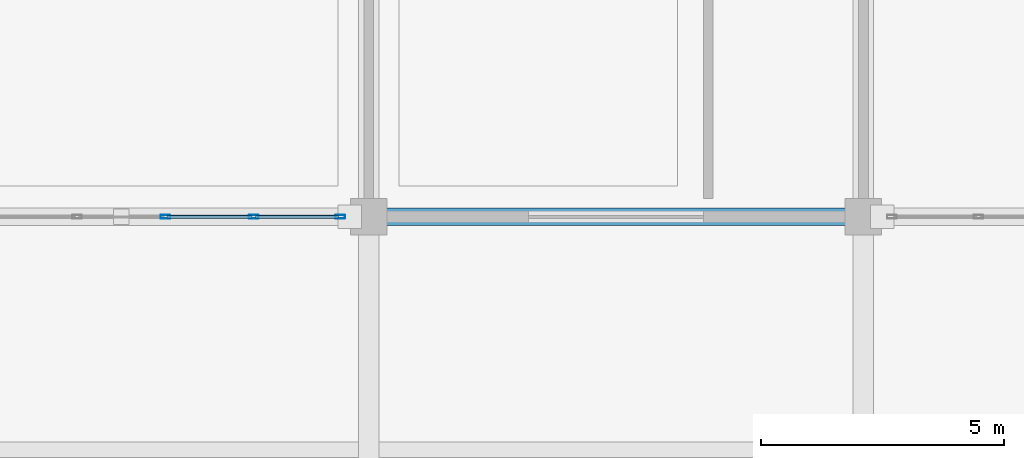
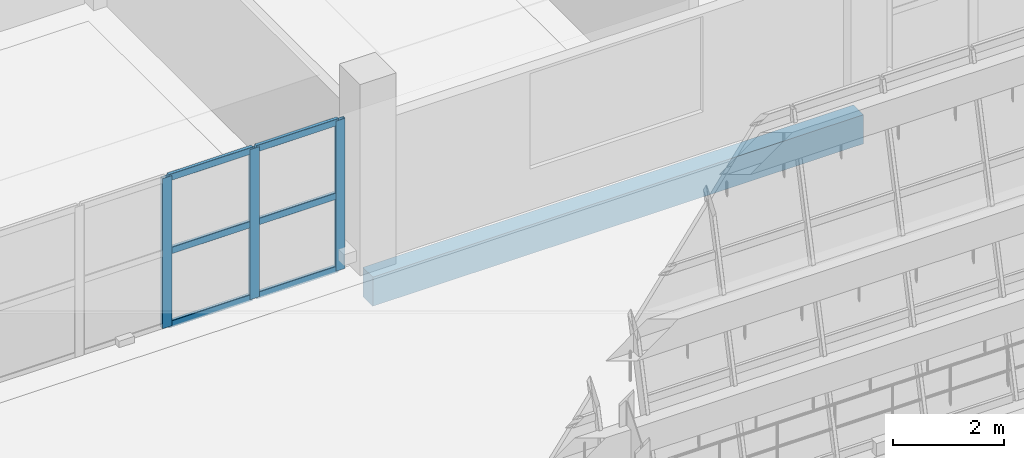
# One storey, part 40 of 157: 9 members, 1 beam, 1 element without a shape of its own.
"""IFC4 building model written with IfcOpenShell, lengths in metres."""

import ifcopenshell
import ifcopenshell.guid

model = None  # the IFC model being written
_history = None  # IfcOwnerHistory: only IFC2X3 demands one
_inside = {}  # id of a spatial element -> (the spatial element, [elements in it])
_under = {}  # id of a project, library or spatial element -> (it, [spatial elements below it])
_declared = {}  # id of a project -> (the project, [libraries it declares])
_typed = {}  # id of a type object -> (the type object, [elements of that type])
_made_of = {}  # id of a material, layer set ... -> (it, [elements and type objects made of it])


def new_model(schema):
    """Start an empty IFC model of exactly this schema.

    Asked for "IFC4X3", IfcOpenShell would pick the latest addendum, in which some entities
    have other attributes; the version numbers below select the first issue.
    IFC2X3 requires an IfcOwnerHistory on every rooted entity: one is made here for all.
    """
    global model, _history
    if schema == "IFC4X3":
        model = ifcopenshell.file(schema_version=(4, 3, 0, 0))
    else:
        model = ifcopenshell.file(schema=schema)
    _inside.clear()
    _under.clear()
    _declared.clear()
    _typed.clear()
    _made_of.clear()
    _history = None
    if model.schema == "IFC2X3":
        org = make("IfcOrganization", Name="unknown")
        user = make(
            "IfcPersonAndOrganization",
            ThePerson=make("IfcPerson", FamilyName="unknown"),
            TheOrganization=org,
        )
        app = make(
            "IfcApplication",
            ApplicationDeveloper=org,
            Version="unknown",
            ApplicationFullName="unknown",
            ApplicationIdentifier="unknown",
        )
        _history = make(
            "IfcOwnerHistory",
            OwningUser=user,
            OwningApplication=app,
            ChangeAction="ADDED",
            CreationDate=0,
        )
    return model


def make(cls, **values):
    """One entity of the class cls with the attributes given. An attribute that is None is left unset."""
    return model.create_entity(
        cls, **{name: value for name, value in values.items() if value is not None}
    )


def rooted(cls, **values):
    """An entity with a GlobalId (a new one), such as an element, a storey or a relation."""
    return make(cls, GlobalId=ifcopenshell.guid.new(), OwnerHistory=_history, **values)


def si_unit(unit_type, name, prefix=None):
    """IfcSIUnit, for example si_unit("LENGTHUNIT", "METRE", prefix="MILLI")."""
    return make("IfcSIUnit", UnitType=unit_type, Prefix=prefix, Name=name)


def assignment(units):
    """IfcUnitAssignment: the units of a project."""
    return None if units is None else make("IfcUnitAssignment", Units=units)


def point(xyz):
    """IfcCartesianPoint."""
    return None if xyz is None else make("IfcCartesianPoint", Coordinates=xyz)


def direction(xyz):
    """IfcDirection."""
    return None if xyz is None else make("IfcDirection", DirectionRatios=xyz)


def frame(location, z_axis=None, x_axis=None):
    """IfcAxis2Placement3D, a coordinate frame: its origin and axes. An axis left out is left unset."""
    return make(
        "IfcAxis2Placement3D",
        Location=point(location),
        Axis=direction(z_axis),
        RefDirection=direction(x_axis),
    )


def frame_2d(location, x_axis=None):
    """IfcAxis2Placement2D, a coordinate frame in the plane: its origin and x axis."""
    return make(
        "IfcAxis2Placement2D", Location=point(location), RefDirection=direction(x_axis)
    )


def origin():
    """The frame at (0, 0, 0) with its axes left unset."""
    return frame((0.0, 0.0, 0.0))


def origin_2d():
    """The frame at (0, 0) in the plane with its x axis left unset."""
    return frame_2d((0.0, 0.0))


def place(relative_to, where):
    """IfcLocalPlacement: puts the frame where relative to a parent placement (None: the world)."""
    return make(
        "IfcLocalPlacement", PlacementRelTo=relative_to, RelativePlacement=where
    )


def context(
    kind, dimensions, precision=None, world=None, true_north=None, identifier=None
):
    """IfcGeometricRepresentationContext, for example the 3D "Model" context."""
    return make(
        "IfcGeometricRepresentationContext",
        ContextIdentifier=identifier,
        ContextType=kind,
        CoordinateSpaceDimension=dimensions,
        Precision=precision,
        WorldCoordinateSystem=world,
        TrueNorth=true_north,
    )


def subcontext(parent, identifier, kind, view, scale=None):
    """IfcGeometricRepresentationSubContext, for example "Body" below "Model"."""
    return make(
        "IfcGeometricRepresentationSubContext",
        ContextIdentifier=identifier,
        ContextType=kind,
        ParentContext=parent,
        TargetScale=scale,
        TargetView=view,
    )


def project(units=None, contexts=None):
    """IfcProject with its units and contexts."""
    return rooted(
        "IfcProject",
        Name="project",
        RepresentationContexts=contexts,
        UnitsInContext=assignment(units),
    )


def spatial(cls, under=None, at=None, **own):
    """A site, building, storey or space (cls), placed at a placement, below another one or the project."""
    s = rooted(cls, ObjectPlacement=at, **own)
    if under is not None:
        _under.setdefault(under.id(), (under, []))[1].append(s)
    return s


def profile(cls, at=None, kind="AREA", **sizes):
    """A parametric profile (cls). Its sizes go by their IFC names, for example OverallWidth=200.0."""
    return make(cls, ProfileType=kind, Position=at, **sizes)


def rectangle(**sizes):
    """IfcRectangleProfileDef."""
    return profile("IfcRectangleProfileDef", **sizes)


def hollow_rectangle(**sizes):
    """IfcRectangleHollowProfileDef."""
    return profile("IfcRectangleHollowProfileDef", **sizes)


def extrude(swept, where, along, depth):
    """IfcExtrudedAreaSolid: the profile swept, set in the frame where, extruded along a direction by depth."""
    return make(
        "IfcExtrudedAreaSolid",
        SweptArea=swept,
        Position=where,
        ExtrudedDirection=direction(along),
        Depth=depth,
    )


def shape(context_of_items, identifier, shape_type, items):
    """IfcShapeRepresentation: the items that make up one representation, for example the "Body"."""
    return make(
        "IfcShapeRepresentation",
        ContextOfItems=context_of_items,
        RepresentationIdentifier=identifier,
        RepresentationType=shape_type,
        Items=items,
    )


def material(Name=None, Category=None):
    """IfcMaterial."""
    return make("IfcMaterial", Name=Name, Category=Category)


def material_profile(
    of_material, cross_section, Name=None, Category=None, Priority=None
):
    """IfcMaterialProfile: a cross section and its material."""
    return make(
        "IfcMaterialProfile",
        Name=Name,
        Material=of_material,
        Profile=cross_section,
        Priority=Priority,
        Category=Category,
    )


def profile_set(profiles, Name=None, composite=None):
    """IfcMaterialProfileSet."""
    return make(
        "IfcMaterialProfileSet",
        Name=Name,
        MaterialProfiles=profiles,
        CompositeProfile=composite,
    )


def made_of(thing, what):
    """Note that an element or type object is made of a material, layer set ...; save() writes the relation."""
    if what is not None:
        _made_of.setdefault(what.id(), (what, []))[1].append(thing)
    return thing


def type_object(cls, material=None, **own):
    """A type object (cls), such as IfcWallType, which elements share."""
    return made_of(rooted(cls, **own), material)


def element(
    cls,
    number,
    at=None,
    inside=None,
    cuts=None,
    type_object=None,
    material=None,
    context=None,
    identifier="Body",
    shape_type=None,
    held_by="IfcProductDefinitionShape",
    body=None,
    shapes=None,
    **own,
):
    """One element of the class cls, such as IfcWall. Its Tag is "e" and its number.

    at: its placement. inside: the storey or other place that contains it. cuts: it is an
    opening in that element (IfcRelVoidsElement). A single representation is given by context,
    identifier, shape_type and body (its items); several are given by shapes. held_by: the class
    of the entity that holds the representations. save() writes the other relations.
    """
    e = rooted(cls, Tag="e%d" % number, ObjectPlacement=at, **own)
    if body is not None:
        shapes = [shape(context, identifier, shape_type, body)]
    if shapes is not None:
        e.Representation = make(held_by, Representations=shapes)
    if inside is not None:
        _inside.setdefault(inside.id(), (inside, []))[1].append(e)
    if cuts is not None:
        rooted(
            "IfcRelVoidsElement", RelatingBuildingElement=cuts, RelatedOpeningElement=e
        )
    if type_object is not None:
        _typed.setdefault(type_object.id(), (type_object, []))[1].append(e)
    return made_of(e, material)


def aggregate(whole, parts):
    """IfcRelAggregates: a whole, such as a stair, and the parts it consists of."""
    return rooted("IfcRelAggregates", RelatingObject=whole, RelatedObjects=parts)


def save(model, path):
    """Write the relations noted so far, then the file.

    IfcRelAggregates (storeys below a building ...), IfcRelContainedInSpatialStructure (elements
    in a storey), IfcRelDefinesByType, IfcRelAssociatesMaterial and IfcRelDeclares: one each for
    every whole, place, type object, material and project.
    """
    for whole, parts in _under.values():
        aggregate(whole, parts)
    for where, things in _inside.values():
        rooted(
            "IfcRelContainedInSpatialStructure",
            RelatedElements=things,
            RelatingStructure=where,
        )
    for kind, things in _typed.values():
        rooted("IfcRelDefinesByType", RelatedObjects=things, RelatingType=kind)
    for what, things in _made_of.values():
        rooted("IfcRelAssociatesMaterial", RelatedObjects=things, RelatingMaterial=what)
    for by, libraries in _declared.values():
        rooted("IfcRelDeclares", RelatingContext=by, RelatedDefinitions=libraries)
    model.write(path)


model = new_model("IFC4")

# Units and contexts
model_context = context("Model", 3, precision=1e-05, world=origin(), true_north=direction((0.0, 1.0)))
body_context = subcontext(model_context, "Body", "Model", "MODEL_VIEW")
ifc_project = project(units=[si_unit("LENGTHUNIT", "METRE"), si_unit("AREAUNIT", "SQUARE_METRE"), si_unit("VOLUMEUNIT", "CUBIC_METRE"), si_unit("PLANEANGLEUNIT", "RADIAN"), si_unit("MASSUNIT", "GRAM", prefix="KILO")], contexts=[model_context])

# Site, building, storey
site_placement = place(None, origin())
site = spatial("IfcSite", under=ifc_project, at=site_placement, CompositionType="ELEMENT")
building_placement = place(site_placement, origin())
building = spatial("IfcBuilding", under=site, at=building_placement, Name="Brelvane Convention Centre", CompositionType="ELEMENT")
storey_placement = place(building_placement, frame((0.0, 0.0, 10.800048828125)))
storey = spatial("IfcBuildingStorey", under=building, at=storey_placement, Name="L02", CompositionType="ELEMENT", Elevation=10.800048828125)

# Curtain wall, members
ifc_material_1 = material(Name="Anodised Aluminium Alloy 6063-T6", Category="aluminium")
curtain_wall_type = type_object("IfcCurtainWallType", Name="Curtain Wall CW-COURT", PredefinedType="USERDEFINED", material=ifc_material_1)
curtain_wall_placement = place(storey_placement, origin())
curtain_wall = element("IfcCurtainWall", 1, at=curtain_wall_placement, inside=storey, type_object=curtain_wall_type, Name="Curtain Wall CW-COURT L02-V4S-05", ObjectType="UNITISED", PredefinedType="USERDEFINED")
ifc_material_2 = material(Name="Anodised Aluminium Alloy 6063-T6", Category="aluminium")
ifc_material_profile_1 = material_profile(ifc_material_2, hollow_rectangle(XDim=0.074951171875, YDim=0.199951171875, WallThickness=0.0048828125, InnerFilletRadius=0.0048828125, OuterFilletRadius=0.010009765625, at=origin_2d()), Name="ALU-M 200x75x5.0")
ifc_profile_set_1 = profile_set([ifc_material_profile_1], Name="Anodised Aluminium Alloy 6063-T6")
member_type_1 = type_object("IfcMemberType", Name="Curtain Mullion CW-M2", PredefinedType="MULLION", material=ifc_profile_set_1)
member_1_placement = place(storey_placement, frame((46.81005859375, 109.199951171875, 0.0), z_axis=(0.0, 0.0, 1.0), x_axis=(0.0, 1.0, 0.0)))
member_1 = element("IfcMember", 2, at=member_1_placement, type_object=member_type_1, Name="CW-COURT mullion 4", PredefinedType="MULLION", context=body_context, shape_type="SweptSolid", body=[
    extrude(hollow_rectangle(XDim=0.074951171875, YDim=0.199951171875, WallThickness=0.0048828125, InnerFilletRadius=0.0048828125, OuterFilletRadius=0.010009765625, at=origin_2d()), origin(), (0.0, 0.0, 1.0), 3.300048828125),
])
member_2_placement = place(storey_placement, frame((48.6298828125, 109.199951171875, 0.0), z_axis=(0.0, 0.0, 1.0), x_axis=(0.0, 1.0, 0.0)))
member_2 = element("IfcMember", 3, at=member_2_placement, type_object=member_type_1, Name="CW-COURT mullion 5", PredefinedType="MULLION", context=body_context, shape_type="SweptSolid", body=[
    extrude(hollow_rectangle(XDim=0.074951171875, YDim=0.199951171875, WallThickness=0.0048828125, InnerFilletRadius=0.0048828125, OuterFilletRadius=0.010009765625, at=origin_2d()), origin(), (0.0, 0.0, 1.0), 3.300048828125),
])
member_3_placement = place(storey_placement, frame((50.41259765625, 109.199951171875, 0.0), z_axis=(0.0, 0.0, 1.0), x_axis=(0.0, 1.0, 0.0)))
member_3 = element("IfcMember", 4, at=member_3_placement, type_object=member_type_1, Name="CW-COURT mullion 6", PredefinedType="MULLION", context=body_context, shape_type="SweptSolid", body=[
    extrude(hollow_rectangle(XDim=0.074951171875, YDim=0.199951171875, WallThickness=0.0048828125, InnerFilletRadius=0.0048828125, OuterFilletRadius=0.010009765625, at=origin_2d()), origin(), (0.0, 0.0, 1.0), 3.300048828125),
])
ifc_material_3 = material(Name="Anodised Aluminium Alloy 6063-T6", Category="aluminium")
ifc_material_profile_2 = material_profile(ifc_material_3, hollow_rectangle(XDim=0.070068359375, YDim=0.14990234375, WallThickness=0.00439453125, InnerFilletRadius=0.00439453125, OuterFilletRadius=0.009033203125, at=origin_2d()), Name="ALU-T 150x70x4.5")
ifc_profile_set_2 = profile_set([ifc_material_profile_2], Name="Anodised Aluminium Alloy 6063-T6")
member_type_2 = type_object("IfcMemberType", Name="Curtain Transom CW-T2", PredefinedType="USERDEFINED", material=ifc_profile_set_2)
member_4_placement = place(storey_placement, frame((46.847412109375, 109.199951171875, 0.034912109375), z_axis=(1.0, 0.0, 0.0), x_axis=(0.0, 1.0, 0.0)))
member_4 = element("IfcMember", 5, at=member_4_placement, type_object=member_type_2, Name="CW-COURT transom 4.1", ObjectType="TRANSOM", PredefinedType="USERDEFINED", context=body_context, shape_type="SweptSolid", body=[
    extrude(hollow_rectangle(XDim=0.070068359375, YDim=0.14990234375, WallThickness=0.00439453125, InnerFilletRadius=0.00439453125, OuterFilletRadius=0.009033203125, at=origin_2d()), origin(), (0.0, 0.0, 1.0), 1.7451171875),
])
member_5_placement = place(storey_placement, frame((46.847412109375, 109.199951171875, 1.64990234375), z_axis=(1.0, 0.0, 0.0), x_axis=(0.0, 1.0, 0.0)))
member_5 = element("IfcMember", 6, at=member_5_placement, type_object=member_type_2, Name="CW-COURT transom 4.2", ObjectType="TRANSOM", PredefinedType="USERDEFINED", context=body_context, shape_type="SweptSolid", body=[
    extrude(hollow_rectangle(XDim=0.070068359375, YDim=0.14990234375, WallThickness=0.00439453125, InnerFilletRadius=0.00439453125, OuterFilletRadius=0.009033203125, at=origin_2d()), origin(), (0.0, 0.0, 1.0), 1.7451171875),
])
member_6_placement = place(storey_placement, frame((46.847412109375, 109.199951171875, 3.264892578125), z_axis=(1.0, 0.0, 0.0), x_axis=(0.0, 1.0, 0.0)))
member_6 = element("IfcMember", 7, at=member_6_placement, type_object=member_type_2, Name="CW-COURT transom 4.3", ObjectType="TRANSOM", PredefinedType="USERDEFINED", context=body_context, shape_type="SweptSolid", body=[
    extrude(hollow_rectangle(XDim=0.070068359375, YDim=0.14990234375, WallThickness=0.00439453125, InnerFilletRadius=0.00439453125, OuterFilletRadius=0.009033203125, at=origin_2d()), origin(), (0.0, 0.0, 1.0), 1.7451171875),
])
member_7_placement = place(storey_placement, frame((48.66748046875, 109.199951171875, 0.034912109375), z_axis=(1.0, 0.0, 0.0), x_axis=(0.0, 1.0, 0.0)))
member_7 = element("IfcMember", 8, at=member_7_placement, type_object=member_type_2, Name="CW-COURT transom 5.1", ObjectType="TRANSOM", PredefinedType="USERDEFINED", context=body_context, shape_type="SweptSolid", body=[
    extrude(hollow_rectangle(XDim=0.070068359375, YDim=0.14990234375, WallThickness=0.00439453125, InnerFilletRadius=0.00439453125, OuterFilletRadius=0.009033203125, at=origin_2d()), origin(), (0.0, 0.0, 1.0), 1.70751953125),
])
member_8_placement = place(storey_placement, frame((48.66748046875, 109.199951171875, 1.64990234375), z_axis=(1.0, 0.0, 0.0), x_axis=(0.0, 1.0, 0.0)))
member_8 = element("IfcMember", 9, at=member_8_placement, type_object=member_type_2, Name="CW-COURT transom 5.2", ObjectType="TRANSOM", PredefinedType="USERDEFINED", context=body_context, shape_type="SweptSolid", body=[
    extrude(hollow_rectangle(XDim=0.070068359375, YDim=0.14990234375, WallThickness=0.00439453125, InnerFilletRadius=0.00439453125, OuterFilletRadius=0.009033203125, at=origin_2d()), origin(), (0.0, 0.0, 1.0), 1.70751953125),
])
member_9_placement = place(storey_placement, frame((48.66748046875, 109.199951171875, 3.264892578125), z_axis=(1.0, 0.0, 0.0), x_axis=(0.0, 1.0, 0.0)))
member_9 = element("IfcMember", 10, at=member_9_placement, type_object=member_type_2, Name="CW-COURT transom 5.3", ObjectType="TRANSOM", PredefinedType="USERDEFINED", context=body_context, shape_type="SweptSolid", body=[
    extrude(hollow_rectangle(XDim=0.070068359375, YDim=0.14990234375, WallThickness=0.00439453125, InnerFilletRadius=0.00439453125, OuterFilletRadius=0.009033203125, at=origin_2d()), origin(), (0.0, 0.0, 1.0), 1.70751953125),
])
aggregate(curtain_wall, [member_1, member_2, member_3, member_4, member_5, member_6, member_7, member_8, member_9])

# Beam
ifc_material_4 = material(Name="Concrete M40", Category="concrete")
ifc_material_profile_3 = material_profile(ifc_material_4, rectangle(XDim=0.360107421875, YDim=0.639892578125, at=origin_2d()), Name="RC 360x640")
ifc_profile_set_3 = profile_set([ifc_material_profile_3], Name="Concrete M40")
beam_type = type_object("IfcBeamType", Name="RC Spandrel SP-RC3 (RC 360x640)", PredefinedType="SPANDREL", material=ifc_profile_set_3)
beam_placement = place(storey_placement, frame((51.0, 109.199951171875, -0.60009765625), z_axis=(1.0, 0.0, 0.0), x_axis=(0.0, 1.0, 0.0)))
element("IfcBeam", 11, at=beam_placement, inside=storey, type_object=beam_type, Name="L02 Beam 6-7/L", PredefinedType="SPANDREL", context=body_context, shape_type="SweptSolid", body=[
    extrude(rectangle(XDim=0.360107421875, YDim=0.639892578125, at=origin_2d()), origin(), (0.0, 0.0, 1.0), 10.199951171875),
])

save(model, "model.ifc")
